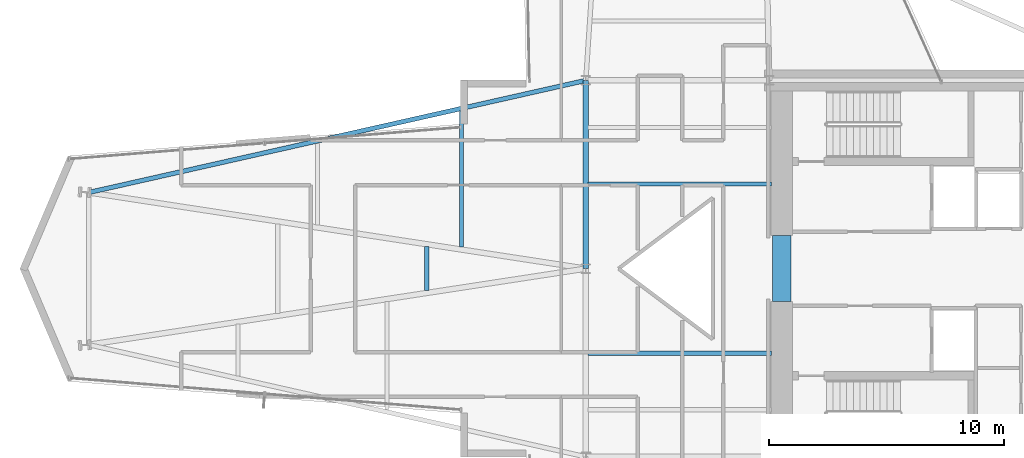
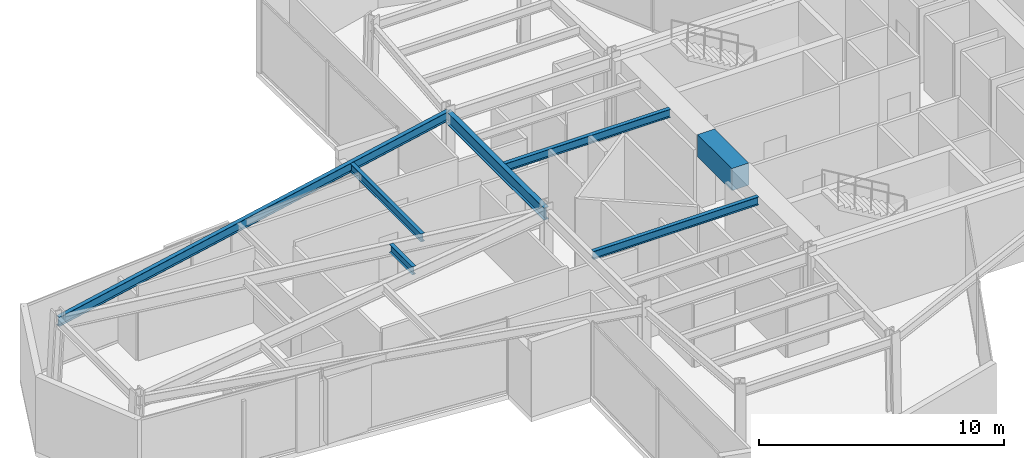
# One storey, part 8 of 25: 7 beams.
"""IFC4 building model written with IfcOpenShell, lengths in metres."""

from ifc_helpers import new_model, si_unit, direction, frame, origin, origin_2d, place, context, subcontext, project, spatial, rectangle, i_section, extrude, material, material_profile, profile_set, type_object, element, save


model = new_model("IFC4")

# Units and contexts
model_context = context("Model", 3, precision=1e-05, world=origin(), true_north=direction((0.0, 1.0)))
body_context = subcontext(model_context, "Body", "Model", "MODEL_VIEW")
ifc_project = project(units=[si_unit("LENGTHUNIT", "METRE"), si_unit("AREAUNIT", "SQUARE_METRE"), si_unit("VOLUMEUNIT", "CUBIC_METRE"), si_unit("PLANEANGLEUNIT", "RADIAN"), si_unit("MASSUNIT", "GRAM", prefix="KILO")], contexts=[model_context])

# Site, building, storey
site_placement = place(None, origin())
site = spatial("IfcSite", under=ifc_project, at=site_placement, CompositionType="ELEMENT")
building_placement = place(site_placement, origin())
building = spatial("IfcBuilding", under=site, at=building_placement, Name="Veymaron Broadcast Tower", CompositionType="ELEMENT")
storey_placement = place(building_placement, frame((0.0, 0.0, 102.60009765625)))
storey = spatial("IfcBuildingStorey", under=building, at=storey_placement, Name="L23", CompositionType="ELEMENT", Elevation=102.60009765625)

# Beams
ifc_material_1 = material(Name="Concrete C70/85", Category="concrete")
ifc_material_profile_1 = material_profile(ifc_material_1, rectangle(XDim=0.800048828125, YDim=1.10009765625, at=origin_2d()), Name="RC800X1100")
ifc_profile_set_1 = profile_set([ifc_material_profile_1], Name="Concrete C70/85")
beam_type_1 = type_object("IfcBeamType", Name="BM-CB1", PredefinedType="LINTEL", material=ifc_profile_set_1)
beam_1_placement = place(storey_placement, frame((39.530029296875, 22.60009765625, 3.179931640625), z_axis=(0.0, 1.0, 0.0), x_axis=(-1.0, 0.0, 0.0)))
element("IfcBeam", 1, at=beam_1_placement, inside=storey, type_object=beam_type_1, Name="L23 Core Wall west coupling beam", PredefinedType="LINTEL", context=body_context, shape_type="SweptSolid", body=[
    extrude(rectangle(XDim=0.800048828125, YDim=1.10009765625, at=origin_2d()), origin(), (0.0, 0.0, 1.0), 2.7998046875),
])
ifc_material_2 = material(Name="Structural steel ASTM A992 Gr 50", Category="steel")
ifc_material_profile_2 = material_profile(ifc_material_2, i_section(OverallWidth=0.22998046875, OverallDepth=0.616943359375, WebThickness=0.01318359375, FlangeThickness=0.022216796875, at=origin_2d()), Name="W610X140")
ifc_profile_set_2 = profile_set([ifc_material_profile_2], Name="Structural steel ASTM A992 Gr 50")
beam_type_2 = type_object("IfcBeamType", Name="BM-FG1", PredefinedType="BEAM", material=ifc_profile_set_2)
beam_2_placement = place(storey_placement, frame((31.199951171875, 24.0, 3.42138671875), z_axis=(0.0, 1.0, 0.0), x_axis=(-1.0, 0.0, 0.0)))
element("IfcBeam", 2, at=beam_2_placement, inside=storey, type_object=beam_type_2, Name="L23 primary structural floor girder", PredefinedType="BEAM", context=body_context, shape_type="SweptSolid", body=[
    extrude(i_section(OverallWidth=0.22998046875, OverallDepth=0.616943359375, WebThickness=0.01318359375, FlangeThickness=0.022216796875, at=origin_2d()), origin(), (0.0, 0.0, 1.0), 8.0),
])
ifc_material_profile_3 = material_profile(ifc_material_2, i_section(OverallWidth=0.177978515625, OverallDepth=0.406982421875, WebThickness=0.0078125, FlangeThickness=0.0126953125, at=origin_2d()), Name="W410X60")
ifc_profile_set_3 = profile_set([ifc_material_profile_3], Name="Structural steel ASTM A992 Gr 50")
beam_type_3 = type_object("IfcBeamType", Name="BM-JS1", PredefinedType="JOIST", material=ifc_profile_set_3)
beam_3_placement = place(storey_placement, frame((24.440673828125, 23.064697265625, 3.5263671875), z_axis=(0.0, 1.0, 0.0), x_axis=(-1.0, 0.0, 0.0)))
element("IfcBeam", 3, at=beam_3_placement, inside=storey, type_object=beam_type_3, Name="L23 Arm-A secondary joist 2M", PredefinedType="JOIST", context=body_context, shape_type="SweptSolid", body=[
    extrude(i_section(OverallWidth=0.177978515625, OverallDepth=0.406982421875, WebThickness=0.0078125, FlangeThickness=0.0126953125, at=origin_2d()), origin(), (0.0, 0.0, 1.0), 1.87060546875),
])
beam_4_placement = place(storey_placement, frame((25.919189453125, 24.90869140625, 3.5263671875), z_axis=(0.0, 1.0, 0.0), x_axis=(-1.0, 0.0, 0.0)))
element("IfcBeam", 4, at=beam_4_placement, inside=storey, type_object=beam_type_3, Name="L23 Arm-A secondary joist 2N", PredefinedType="JOIST", context=body_context, shape_type="SweptSolid", body=[
    extrude(i_section(OverallWidth=0.177978515625, OverallDepth=0.406982421875, WebThickness=0.0078125, FlangeThickness=0.0126953125, at=origin_2d()), origin(), (0.0, 0.0, 1.0), 5.800048828125),
])
for number, where, z_axis, x_axis, name in (
    (5, (31.300048828125, 20.39990234375, 3.5263671875), (1.0, 0.0, 0.0), (0.0, 1.0, 0.0), "L23 Hub secondary joist 2"),
    (6, (31.300048828125, 27.60009765625, 3.5263671875), (1.0, 0.0, 0.0), (0.0, 1.0, 0.0), "L23 Hub secondary joist 3"),
):
    element("IfcBeam", number, at=place(storey_placement, frame(where, z_axis=z_axis, x_axis=x_axis)), inside=storey, type_object=beam_type_3, Name=name, PredefinedType="JOIST", context=body_context, shape_type="SweptSolid", body=[
        extrude(i_section(OverallWidth=0.177978515625, OverallDepth=0.406982421875, WebThickness=0.0078125, FlangeThickness=0.0126953125, at=origin_2d()), origin(), (0.0, 0.0, 1.0), 7.800048828125),
    ])
ifc_material_profile_4 = material_profile(ifc_material_2, i_section(OverallWidth=0.19091796875, OverallDepth=0.4599609375, WebThickness=0.010009765625, FlangeThickness=0.01611328125, at=origin_2d()), Name="W460X82")
ifc_profile_set_4 = profile_set([ifc_material_profile_4], Name="Structural steel ASTM A992 Gr 50")
beam_type_4 = type_object("IfcBeamType", Name="BM-SP1", PredefinedType="SPANDREL", material=ifc_profile_set_4)
beam_5_placement = place(storey_placement, frame((10.076904296875, 27.235107421875, 3.5), z_axis=(0.975488879822, 0.220048734021, 0.0), x_axis=(-0.220048734021, 0.975488879822, 0.0)))
element("IfcBeam", 7, at=beam_5_placement, inside=storey, type_object=beam_type_4, Name="L23 primary structural floor girder", PredefinedType="SPANDREL", context=body_context, shape_type="SweptSolid", body=[
    extrude(i_section(OverallWidth=0.19091796875, OverallDepth=0.4599609375, WebThickness=0.010009765625, FlangeThickness=0.01611328125, at=origin_2d()), origin(), (0.0, 0.0, 1.0), 21.65380859375),
])

save(model, "model.ifc")
